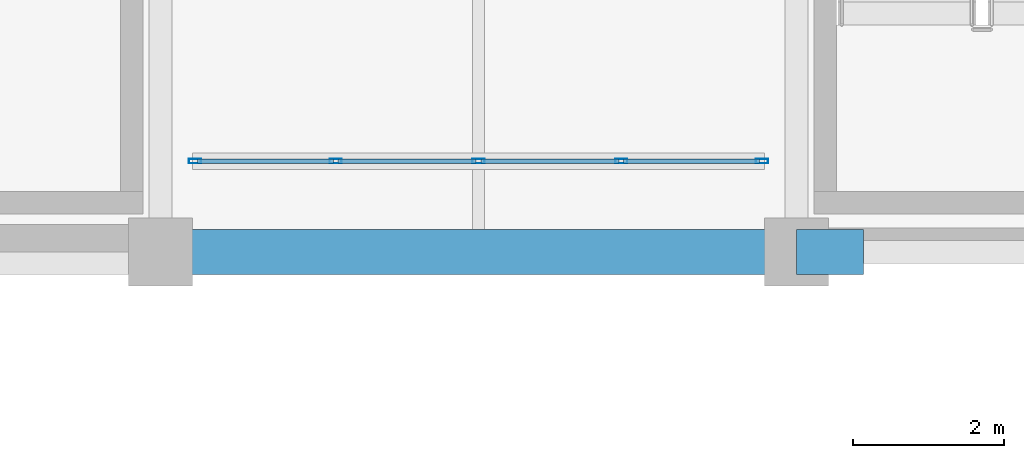
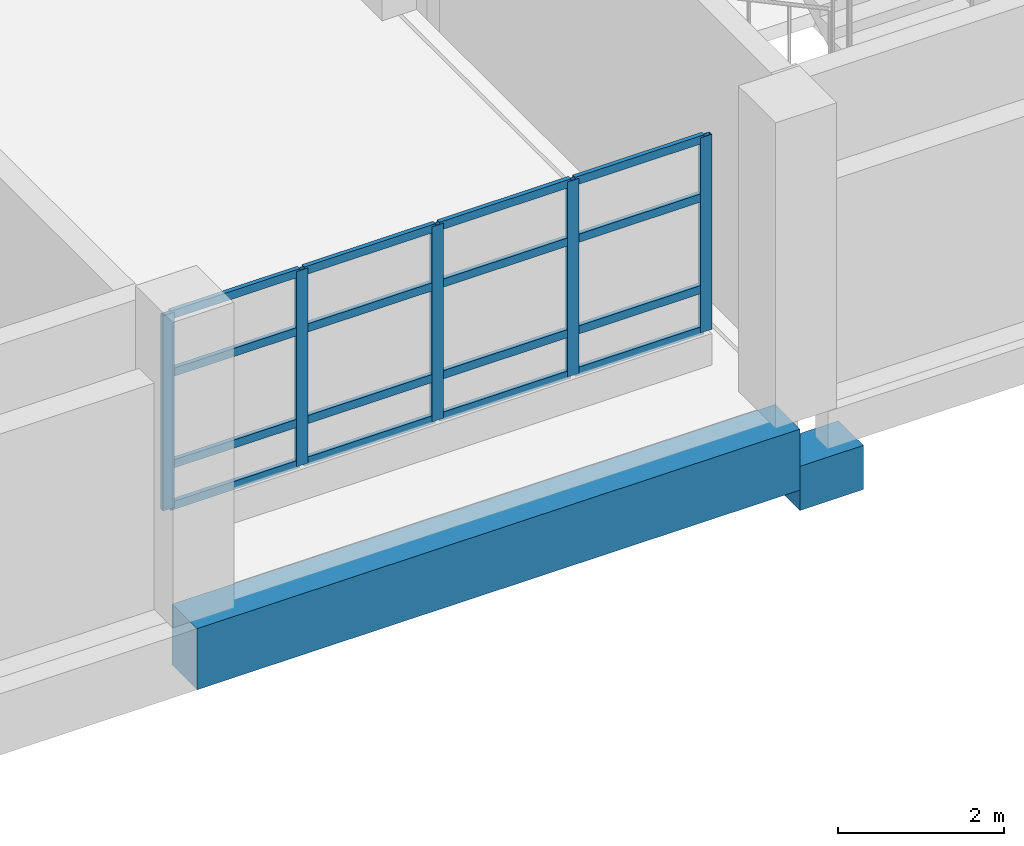
# One storey, part 39 of 109: 21 members, 2 beams, 1 element without a shape of its own.
"""IFC4 building model written with IfcOpenShell, lengths in metres."""

from ifc_helpers import new_model, si_unit, direction, frame, origin, origin_2d, place, context, subcontext, project, spatial, rectangle, hollow_rectangle, extrude, material, material_profile, profile_set, type_object, element, aggregate, save


model = new_model("IFC4")

# Units and contexts
model_context = context("Model", 3, precision=1e-05, world=origin(), true_north=direction((0.0, 1.0)))
body_context = subcontext(model_context, "Body", "Model", "MODEL_VIEW")
ifc_project = project(units=[si_unit("LENGTHUNIT", "METRE"), si_unit("AREAUNIT", "SQUARE_METRE"), si_unit("VOLUMEUNIT", "CUBIC_METRE"), si_unit("PLANEANGLEUNIT", "RADIAN"), si_unit("MASSUNIT", "GRAM", prefix="KILO")], contexts=[model_context])

# Site, building, storey
site_placement = place(None, origin())
site = spatial("IfcSite", under=ifc_project, at=site_placement, CompositionType="ELEMENT")
building_placement = place(site_placement, origin())
building = spatial("IfcBuilding", under=site, at=building_placement, Name="Veltarok Museum of Natural Sciences", CompositionType="ELEMENT")
storey_placement = place(building_placement, frame((0.0, 0.0, 17.39990234375)))
storey = spatial("IfcBuildingStorey", under=building, at=storey_placement, Name="L03", CompositionType="ELEMENT", Elevation=17.39990234375)

# Curtain wall, members
ifc_material_1 = material(Name="Low-iron triple insulated glass", Category="glass")
curtain_wall_type = type_object("IfcCurtainWallType", Name="Curtain Wall System CW-CAB-L03-A-755x288 (V1 Recessed L03 755x288cm)", PredefinedType="NOTDEFINED", material=ifc_material_1)
curtain_wall_placement = place(storey_placement, origin())
curtain_wall = element("IfcCurtainWall", 1, at=curtain_wall_placement, inside=storey, type_object=curtain_wall_type, Name="Curtain Wall CW-CAB-L03-A-755x288 CW-0006", PredefinedType="NOTDEFINED")
ifc_material_2 = material(Name="Thermally broken anodised aluminium", Category="aluminium")
ifc_material_profile_1 = material_profile(ifc_material_2, hollow_rectangle(XDim=0.06005859375, YDim=0.1201171875, WallThickness=0.0048828125, at=origin_2d()), Name="CW TRANSOM 60x120x5")
ifc_profile_set_1 = profile_set([ifc_material_profile_1], Name="Thermally broken anodised aluminium")
member_type_1 = type_object("IfcMemberType", Name="Curtain Wall Horizontal Transom 60x120x5", PredefinedType="USERDEFINED", material=ifc_profile_set_1)
member_1_placement = place(storey_placement, frame((99.284912109375, 1.199951171875, 0.489990234375), z_axis=(1.0, 0.0, 0.0), x_axis=(0.0, 1.0, 0.0)))
member_1 = element("IfcMember", 2, at=member_1_placement, type_object=member_type_1, Name="CW-CAB-L03-A-755x288 transom 1.1", ObjectType="TRANSOM", PredefinedType="USERDEFINED", context=body_context, shape_type="SweptSolid", body=[
    extrude(hollow_rectangle(XDim=0.06005859375, YDim=0.1201171875, WallThickness=0.0048828125, at=origin_2d()), origin(), (0.0, 0.0, 1.0), 1.797607421875),
])
member_2_placement = place(storey_placement, frame((99.284912109375, 1.199951171875, 1.10009765625), z_axis=(1.0, 0.0, 0.0), x_axis=(0.0, 1.0, 0.0)))
member_2 = element("IfcMember", 3, at=member_2_placement, type_object=member_type_1, Name="CW-CAB-L03-A-755x288 transom 1.2", ObjectType="TRANSOM", PredefinedType="USERDEFINED", context=body_context, shape_type="SweptSolid", body=[
    extrude(hollow_rectangle(XDim=0.06005859375, YDim=0.1201171875, WallThickness=0.0048828125, at=origin_2d()), origin(), (0.0, 0.0, 1.0), 1.797607421875),
])
member_3_placement = place(storey_placement, frame((99.284912109375, 1.199951171875, 2.4501953125), z_axis=(1.0, 0.0, 0.0), x_axis=(0.0, 1.0, 0.0)))
member_3 = element("IfcMember", 4, at=member_3_placement, type_object=member_type_1, Name="CW-CAB-L03-A-755x288 transom 1.3", ObjectType="TRANSOM", PredefinedType="USERDEFINED", context=body_context, shape_type="SweptSolid", body=[
    extrude(hollow_rectangle(XDim=0.06005859375, YDim=0.1201171875, WallThickness=0.0048828125, at=origin_2d()), origin(), (0.0, 0.0, 1.0), 1.797607421875),
])
member_4_placement = place(storey_placement, frame((99.284912109375, 1.199951171875, 3.30517578125), z_axis=(1.0, 0.0, 0.0), x_axis=(0.0, 1.0, 0.0)))
member_4 = element("IfcMember", 5, at=member_4_placement, type_object=member_type_1, Name="CW-CAB-L03-A-755x288 transom 1.4", ObjectType="TRANSOM", PredefinedType="USERDEFINED", context=body_context, shape_type="SweptSolid", body=[
    extrude(hollow_rectangle(XDim=0.06005859375, YDim=0.1201171875, WallThickness=0.0048828125, at=origin_2d()), origin(), (0.0, 0.0, 1.0), 1.797607421875),
])
member_5_placement = place(storey_placement, frame((101.142578125, 1.199951171875, 0.489990234375), z_axis=(1.0, 0.0, 0.0), x_axis=(0.0, 1.0, 0.0)))
member_5 = element("IfcMember", 6, at=member_5_placement, type_object=member_type_1, Name="CW-CAB-L03-A-755x288 transom 2.1", ObjectType="TRANSOM", PredefinedType="USERDEFINED", context=body_context, shape_type="SweptSolid", body=[
    extrude(hollow_rectangle(XDim=0.06005859375, YDim=0.1201171875, WallThickness=0.0048828125, at=origin_2d()), origin(), (0.0, 0.0, 1.0), 1.827392578125),
])
member_6_placement = place(storey_placement, frame((101.142578125, 1.199951171875, 1.10009765625), z_axis=(1.0, 0.0, 0.0), x_axis=(0.0, 1.0, 0.0)))
member_6 = element("IfcMember", 7, at=member_6_placement, type_object=member_type_1, Name="CW-CAB-L03-A-755x288 transom 2.2", ObjectType="TRANSOM", PredefinedType="USERDEFINED", context=body_context, shape_type="SweptSolid", body=[
    extrude(hollow_rectangle(XDim=0.06005859375, YDim=0.1201171875, WallThickness=0.0048828125, at=origin_2d()), origin(), (0.0, 0.0, 1.0), 1.827392578125),
])
member_7_placement = place(storey_placement, frame((101.142578125, 1.199951171875, 2.4501953125), z_axis=(1.0, 0.0, 0.0), x_axis=(0.0, 1.0, 0.0)))
member_7 = element("IfcMember", 8, at=member_7_placement, type_object=member_type_1, Name="CW-CAB-L03-A-755x288 transom 2.3", ObjectType="TRANSOM", PredefinedType="USERDEFINED", context=body_context, shape_type="SweptSolid", body=[
    extrude(hollow_rectangle(XDim=0.06005859375, YDim=0.1201171875, WallThickness=0.0048828125, at=origin_2d()), origin(), (0.0, 0.0, 1.0), 1.827392578125),
])
member_8_placement = place(storey_placement, frame((101.142578125, 1.199951171875, 3.30517578125), z_axis=(1.0, 0.0, 0.0), x_axis=(0.0, 1.0, 0.0)))
member_8 = element("IfcMember", 9, at=member_8_placement, type_object=member_type_1, Name="CW-CAB-L03-A-755x288 transom 2.4", ObjectType="TRANSOM", PredefinedType="USERDEFINED", context=body_context, shape_type="SweptSolid", body=[
    extrude(hollow_rectangle(XDim=0.06005859375, YDim=0.1201171875, WallThickness=0.0048828125, at=origin_2d()), origin(), (0.0, 0.0, 1.0), 1.827392578125),
])
member_9_placement = place(storey_placement, frame((103.030029296875, 1.199951171875, 0.489990234375), z_axis=(1.0, 0.0, 0.0), x_axis=(0.0, 1.0, 0.0)))
member_9 = element("IfcMember", 10, at=member_9_placement, type_object=member_type_1, Name="CW-CAB-L03-A-755x288 transom 3.1", ObjectType="TRANSOM", PredefinedType="USERDEFINED", context=body_context, shape_type="SweptSolid", body=[
    extrude(hollow_rectangle(XDim=0.06005859375, YDim=0.1201171875, WallThickness=0.0048828125, at=origin_2d()), origin(), (0.0, 0.0, 1.0), 1.827392578125),
])
member_10_placement = place(storey_placement, frame((103.030029296875, 1.199951171875, 1.10009765625), z_axis=(1.0, 0.0, 0.0), x_axis=(0.0, 1.0, 0.0)))
member_10 = element("IfcMember", 11, at=member_10_placement, type_object=member_type_1, Name="CW-CAB-L03-A-755x288 transom 3.2", ObjectType="TRANSOM", PredefinedType="USERDEFINED", context=body_context, shape_type="SweptSolid", body=[
    extrude(hollow_rectangle(XDim=0.06005859375, YDim=0.1201171875, WallThickness=0.0048828125, at=origin_2d()), origin(), (0.0, 0.0, 1.0), 1.827392578125),
])
member_11_placement = place(storey_placement, frame((103.030029296875, 1.199951171875, 2.4501953125), z_axis=(1.0, 0.0, 0.0), x_axis=(0.0, 1.0, 0.0)))
member_11 = element("IfcMember", 12, at=member_11_placement, type_object=member_type_1, Name="CW-CAB-L03-A-755x288 transom 3.3", ObjectType="TRANSOM", PredefinedType="USERDEFINED", context=body_context, shape_type="SweptSolid", body=[
    extrude(hollow_rectangle(XDim=0.06005859375, YDim=0.1201171875, WallThickness=0.0048828125, at=origin_2d()), origin(), (0.0, 0.0, 1.0), 1.827392578125),
])
member_12_placement = place(storey_placement, frame((103.030029296875, 1.199951171875, 3.30517578125), z_axis=(1.0, 0.0, 0.0), x_axis=(0.0, 1.0, 0.0)))
member_12 = element("IfcMember", 13, at=member_12_placement, type_object=member_type_1, Name="CW-CAB-L03-A-755x288 transom 3.4", ObjectType="TRANSOM", PredefinedType="USERDEFINED", context=body_context, shape_type="SweptSolid", body=[
    extrude(hollow_rectangle(XDim=0.06005859375, YDim=0.1201171875, WallThickness=0.0048828125, at=origin_2d()), origin(), (0.0, 0.0, 1.0), 1.827392578125),
])
member_13_placement = place(storey_placement, frame((104.91748046875, 1.199951171875, 0.489990234375), z_axis=(1.0, 0.0, 0.0), x_axis=(0.0, 1.0, 0.0)))
member_13 = element("IfcMember", 14, at=member_13_placement, type_object=member_type_1, Name="CW-CAB-L03-A-755x288 transom 4.1", ObjectType="TRANSOM", PredefinedType="USERDEFINED", context=body_context, shape_type="SweptSolid", body=[
    extrude(hollow_rectangle(XDim=0.06005859375, YDim=0.1201171875, WallThickness=0.0048828125, at=origin_2d()), origin(), (0.0, 0.0, 1.0), 1.797607421875),
])
member_14_placement = place(storey_placement, frame((104.91748046875, 1.199951171875, 1.10009765625), z_axis=(1.0, 0.0, 0.0), x_axis=(0.0, 1.0, 0.0)))
member_14 = element("IfcMember", 15, at=member_14_placement, type_object=member_type_1, Name="CW-CAB-L03-A-755x288 transom 4.2", ObjectType="TRANSOM", PredefinedType="USERDEFINED", context=body_context, shape_type="SweptSolid", body=[
    extrude(hollow_rectangle(XDim=0.06005859375, YDim=0.1201171875, WallThickness=0.0048828125, at=origin_2d()), origin(), (0.0, 0.0, 1.0), 1.797607421875),
])
member_15_placement = place(storey_placement, frame((104.91748046875, 1.199951171875, 2.4501953125), z_axis=(1.0, 0.0, 0.0), x_axis=(0.0, 1.0, 0.0)))
member_15 = element("IfcMember", 16, at=member_15_placement, type_object=member_type_1, Name="CW-CAB-L03-A-755x288 transom 4.3", ObjectType="TRANSOM", PredefinedType="USERDEFINED", context=body_context, shape_type="SweptSolid", body=[
    extrude(hollow_rectangle(XDim=0.06005859375, YDim=0.1201171875, WallThickness=0.0048828125, at=origin_2d()), origin(), (0.0, 0.0, 1.0), 1.797607421875),
])
member_16_placement = place(storey_placement, frame((104.91748046875, 1.199951171875, 3.30517578125), z_axis=(1.0, 0.0, 0.0), x_axis=(0.0, 1.0, 0.0)))
member_16 = element("IfcMember", 17, at=member_16_placement, type_object=member_type_1, Name="CW-CAB-L03-A-755x288 transom 4.4", ObjectType="TRANSOM", PredefinedType="USERDEFINED", context=body_context, shape_type="SweptSolid", body=[
    extrude(hollow_rectangle(XDim=0.06005859375, YDim=0.1201171875, WallThickness=0.0048828125, at=origin_2d()), origin(), (0.0, 0.0, 1.0), 1.797607421875),
])
ifc_material_profile_2 = material_profile(ifc_material_2, hollow_rectangle(XDim=0.06005859375, YDim=0.159912109375, WallThickness=0.0048828125, at=origin_2d()), Name="CW MULLION 60x160x5")
ifc_profile_set_2 = profile_set([ifc_material_profile_2], Name="Thermally broken anodised aluminium")
member_type_2 = type_object("IfcMemberType", Name="Curtain Wall Vertical Mullion 60x160x5", PredefinedType="MULLION", material=ifc_profile_set_2)
member_17_placement = place(storey_placement, frame((99.2548828125, 1.199951171875, 0.460205078125), z_axis=(0.0, 0.0, 1.0), x_axis=(0.0, 1.0, 0.0)))
member_17 = element("IfcMember", 18, at=member_17_placement, type_object=member_type_2, Name="CW-CAB-L03-A-755x288 mullion 1", PredefinedType="MULLION", context=body_context, shape_type="SweptSolid", body=[
    extrude(hollow_rectangle(XDim=0.06005859375, YDim=0.159912109375, WallThickness=0.0048828125, at=origin_2d()), origin(), (0.0, 0.0, 1.0), 2.875),
])
member_18_placement = place(storey_placement, frame((101.112548828125, 1.199951171875, 0.460205078125), z_axis=(0.0, 0.0, 1.0), x_axis=(0.0, 1.0, 0.0)))
member_18 = element("IfcMember", 19, at=member_18_placement, type_object=member_type_2, Name="CW-CAB-L03-A-755x288 mullion 2", PredefinedType="MULLION", context=body_context, shape_type="SweptSolid", body=[
    extrude(hollow_rectangle(XDim=0.06005859375, YDim=0.159912109375, WallThickness=0.0048828125, at=origin_2d()), origin(), (0.0, 0.0, 1.0), 2.875),
])
member_19_placement = place(storey_placement, frame((103.0, 1.199951171875, 0.460205078125), z_axis=(0.0, 0.0, 1.0), x_axis=(0.0, 1.0, 0.0)))
member_19 = element("IfcMember", 20, at=member_19_placement, type_object=member_type_2, Name="CW-CAB-L03-A-755x288 mullion 3", PredefinedType="MULLION", context=body_context, shape_type="SweptSolid", body=[
    extrude(hollow_rectangle(XDim=0.06005859375, YDim=0.159912109375, WallThickness=0.0048828125, at=origin_2d()), origin(), (0.0, 0.0, 1.0), 2.875),
])
member_20_placement = place(storey_placement, frame((104.887451171875, 1.199951171875, 0.460205078125), z_axis=(0.0, 0.0, 1.0), x_axis=(0.0, 1.0, 0.0)))
member_20 = element("IfcMember", 21, at=member_20_placement, type_object=member_type_2, Name="CW-CAB-L03-A-755x288 mullion 4", PredefinedType="MULLION", context=body_context, shape_type="SweptSolid", body=[
    extrude(hollow_rectangle(XDim=0.06005859375, YDim=0.159912109375, WallThickness=0.0048828125, at=origin_2d()), origin(), (0.0, 0.0, 1.0), 2.875),
])
member_21_placement = place(storey_placement, frame((106.7451171875, 1.199951171875, 0.460205078125), z_axis=(0.0, 0.0, 1.0), x_axis=(0.0, 1.0, 0.0)))
member_21 = element("IfcMember", 22, at=member_21_placement, type_object=member_type_2, Name="CW-CAB-L03-A-755x288 mullion 5", PredefinedType="MULLION", context=body_context, shape_type="SweptSolid", body=[
    extrude(hollow_rectangle(XDim=0.06005859375, YDim=0.159912109375, WallThickness=0.0048828125, at=origin_2d()), origin(), (0.0, 0.0, 1.0), 2.875),
])
aggregate(curtain_wall, [member_17, member_18, member_19, member_20, member_21, member_1, member_2, member_3, member_4, member_5, member_6, member_7, member_8, member_9, member_10, member_11, member_12, member_13, member_14, member_15, member_16])

# Beams
ifc_material_3 = material(Name="Concrete C40/50", Category="concrete")
ifc_material_profile_3 = material_profile(ifc_material_3, rectangle(XDim=0.60009765625, YDim=0.89990234375, at=origin_2d()), Name="RC 600x900")
ifc_profile_set_3 = profile_set([ifc_material_profile_3], Name="Concrete C40/50")
beam_type_1 = type_object("IfcBeamType", Name="Exposed Cabinet Perimeter Spandrel RC 600x900", PredefinedType="SPANDREL", material=ifc_profile_set_3)
beam_1_placement = place(storey_placement, frame((98.800048828125, 0.0, -0.699951171875), z_axis=(1.0, 0.0, 0.0), x_axis=(0.0, 1.0, 0.0)))
element("IfcBeam", 23, at=beam_1_placement, inside=storey, type_object=beam_type_1, Name="Beam BM-SP01 L03 12-13/A", PredefinedType="SPANDREL", context=body_context, shape_type="SweptSolid", body=[
    extrude(rectangle(XDim=0.60009765625, YDim=0.89990234375, at=origin_2d()), origin(), (0.0, 0.0, 1.0), 8.39990234375),
])
ifc_material_profile_4 = material_profile(ifc_material_3, rectangle(XDim=0.60009765625, YDim=0.64990234375, at=origin_2d()), Name="RC 600x650")
ifc_profile_set_4 = profile_set([ifc_material_profile_4], Name="Concrete C40/50")
beam_type_2 = type_object("IfcBeamType", Name="Movement Joint Sliding Corbel RC 600x650", PredefinedType="BEAM", material=ifc_profile_set_4)
beam_2_placement = place(storey_placement, frame((107.199951171875, 0.0, -1.125), z_axis=(1.0, 0.0, 0.0), x_axis=(0.0, 1.0, 0.0)))
element("IfcBeam", 24, at=beam_2_placement, inside=storey, type_object=beam_type_2, Name="Movement Joint Corbel L03 13/A", PredefinedType="BEAM", context=body_context, shape_type="SweptSolid", body=[
    extrude(rectangle(XDim=0.60009765625, YDim=0.64990234375, at=origin_2d()), origin(), (0.0, 0.0, 1.0), 0.885009765625),
])

save(model, "model.ifc")
